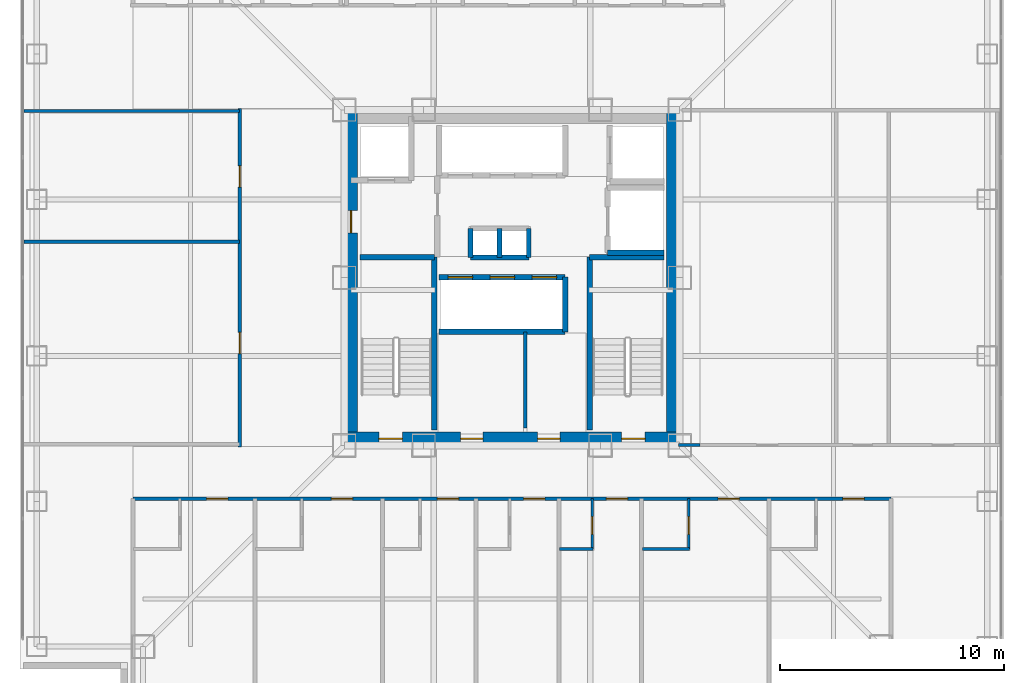
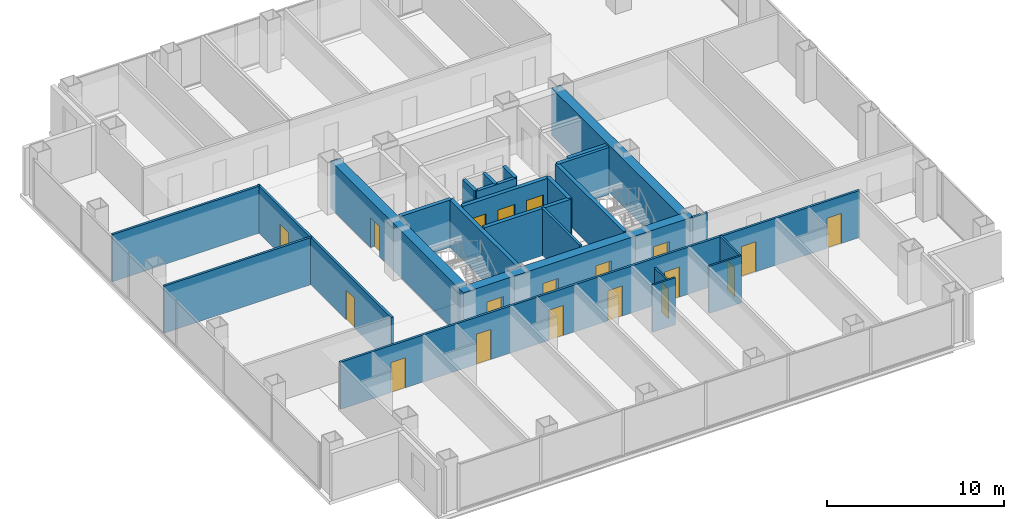
# One storey, part 13 of 18: 25 walls, 19 doors, 19 openings.
"""IFC4 building model written with IfcOpenShell, lengths in metres."""

from ifc_helpers import new_model, si_unit, direction, frame, frame_2d, origin, place, context, subcontext, project, spatial, rectangle, extrude, material, layer, layer_set, type_object, element, fill, save


model = new_model("IFC4")

# Units and contexts
model_context = context("Model", 3, precision=1e-05, world=origin(), true_north=direction((0.0, 1.0)))
body_context = subcontext(model_context, "Body", "Model", "MODEL_VIEW")
ifc_project = project(units=[si_unit("LENGTHUNIT", "METRE"), si_unit("AREAUNIT", "SQUARE_METRE"), si_unit("VOLUMEUNIT", "CUBIC_METRE"), si_unit("PLANEANGLEUNIT", "RADIAN"), si_unit("MASSUNIT", "GRAM", prefix="KILO")], contexts=[model_context])

# Site, building, storey
site_placement = place(None, origin())
site = spatial("IfcSite", under=ifc_project, at=site_placement, CompositionType="ELEMENT")
building_placement = place(site_placement, origin())
building = spatial("IfcBuilding", under=site, at=building_placement, Name="Trevonay Congress Spire", CompositionType="ELEMENT")
storey_placement = place(building_placement, frame((0.0, 0.0, 151.60009765625)))
storey = spatial("IfcBuildingStorey", under=building, at=storey_placement, Name="L39", CompositionType="ELEMENT", Elevation=151.60009765625)

# Wall, opening, door
ifc_material_1 = material(Name="Concrete C40/50", Category="concrete")
ifc_layer_1 = layer(ifc_material_1, 0.1201171875, Name="Concrete C40/50")
ifc_layer_set_1 = layer_set([ifc_layer_1], Name="Concrete C40/50")
wall_type_1 = type_object("IfcWallType", Name="WAL-BATH-120", PredefinedType="PLUMBINGWALL", material=ifc_layer_set_1)
wall_1_placement = place(storey_placement, frame((3.594970703125, -12.1298828125, 0.0), z_axis=(0.0, 0.0, 1.0), x_axis=(0.0, 1.0, 0.0)))
wall_1 = element("IfcWall", 1, at=wall_1_placement, inside=storey, type_object=wall_type_1, Name="L39 interior wall WH-L39S-BS5", PredefinedType="PLUMBINGWALL", context=body_context, shape_type="SweptSolid", body=[
    extrude(rectangle(XDim=2.25, YDim=0.1201171875, at=frame_2d((1.125, 0.0))), origin(), (0.0, 0.0, 1.0), 2.60791015625),
])
opening_1_placement = place(wall_1_placement, frame((0.64990234375, 0.0, 0.0)))
opening_1 = element("IfcOpeningElement", 2, at=opening_1_placement, cuts=wall_1, Name="Opening D11", PredefinedType="OPENING", context=body_context, shape_type="SweptSolid", body=[
    extrude(rectangle(XDim=0.800048828125, YDim=2.050048828125, at=frame_2d((0.39990234375, 1.02490234375))), frame((0.0, 0.070068359375, 0.0), z_axis=(0.0, -1.0, 0.0), x_axis=(1.0, 0.0, 0.0)), (0.0, 0.0, 1.0), 0.14013671875),
])
ifc_material_2 = material(Name="Pale Anodised Aluminium EN AW-6063-T6", Category="aluminium")
door_type_1 = type_object("IfcDoorType", Name="DOR-BATH-80", OperationType="NOTDEFINED", PredefinedType="DOOR", material=ifc_material_2)
door_1_placement = place(opening_1_placement, origin())
door_1 = element("IfcDoor", 3, at=door_1_placement, inside=storey, type_object=door_type_1, Name="L39 En-suite Bathroom Door", OperationType="SINGLE_SWING_LEFT", OverallHeight=2.050048828125, OverallWidth=0.800048828125, PredefinedType="DOOR", context=body_context, shape_type="SweptSolid", body=[
    extrude(rectangle(XDim=0.800048828125, YDim=2.050048828125, at=frame_2d((0.39990234375, 1.02490234375))), frame((0.0, 0.02490234375, 0.0), z_axis=(0.0, -1.0, 0.0), x_axis=(1.0, 0.0, 0.0)), (0.0, 0.0, 1.0), 0.050048828125),
])
fill(opening_1, door_1)

# Wall
wall_2_placement = place(storey_placement, frame((2.1298828125, -12.1298828125, 0.0), z_axis=(0.0, 0.0, 1.0), x_axis=(1.0, 0.0, 0.0)))
element("IfcWall", 4, at=wall_2_placement, inside=storey, type_object=wall_type_1, Name="L39 interior wall WH-L39S-BF5", PredefinedType="PLUMBINGWALL", context=body_context, shape_type="SweptSolid", body=[
    extrude(rectangle(XDim=1.4951171875, YDim=0.1201171875, at=frame_2d((0.74755859375, 0.0))), origin(), (0.0, 0.0, 1.0), 3.25),
])

# Wall, opening, door
wall_3_placement = place(storey_placement, frame((7.89990234375, -12.1298828125, 0.0), z_axis=(0.0, 0.0, 1.0), x_axis=(0.0, 1.0, 0.0)))
wall_3 = element("IfcWall", 5, at=wall_3_placement, inside=storey, type_object=wall_type_1, Name="L39 interior wall WH-L39S-BS6", PredefinedType="PLUMBINGWALL", context=body_context, shape_type="SweptSolid", body=[
    extrude(rectangle(XDim=2.25, YDim=0.1201171875, at=frame_2d((1.125, 0.0))), origin(), (0.0, 0.0, 1.0), 3.25),
])
opening_2_placement = place(wall_3_placement, frame((0.64990234375, 0.0, 0.0)))
opening_2 = element("IfcOpeningElement", 6, at=opening_2_placement, cuts=wall_3, Name="Opening D11", PredefinedType="OPENING", context=body_context, shape_type="SweptSolid", body=[
    extrude(rectangle(XDim=0.800048828125, YDim=2.050048828125, at=frame_2d((0.39990234375, 1.02490234375))), frame((0.0, 0.070068359375, 0.0), z_axis=(0.0, -1.0, 0.0), x_axis=(1.0, 0.0, 0.0)), (0.0, 0.0, 1.0), 0.14013671875),
])
door_2_placement = place(opening_2_placement, origin())
door_2 = element("IfcDoor", 7, at=door_2_placement, inside=storey, type_object=door_type_1, Name="L39 En-suite Bathroom Door", OperationType="SINGLE_SWING_RIGHT", OverallHeight=2.050048828125, OverallWidth=0.800048828125, PredefinedType="DOOR", context=body_context, shape_type="SweptSolid", body=[
    extrude(rectangle(XDim=0.800048828125, YDim=2.050048828125, at=frame_2d((0.39990234375, 1.02490234375))), frame((0.0, 0.02490234375, 0.0), z_axis=(0.0, -1.0, 0.0), x_axis=(1.0, 0.0, 0.0)), (0.0, 0.0, 1.0), 0.050048828125),
])
fill(opening_2, door_2)

# Wall
wall_4_placement = place(storey_placement, frame((5.830078125, -12.1298828125, 0.0), z_axis=(0.0, 0.0, 1.0), x_axis=(1.0, 0.0, 0.0)))
element("IfcWall", 8, at=wall_4_placement, inside=storey, type_object=wall_type_1, Name="L39 interior wall WH-L39S-BF6", PredefinedType="PLUMBINGWALL", context=body_context, shape_type="SweptSolid", body=[
    extrude(rectangle(XDim=2.099853515625, YDim=0.1201171875, at=frame_2d((1.0498046875, 0.0))), origin(), (0.0, 0.0, 1.0), 3.25),
])

# Wall, openings, doors
ifc_material_3 = material(Name="Concrete C60/75", Category="concrete")
ifc_layer_2 = layer(ifc_material_3, 0.60009765625, Name="Concrete C60/75")
ifc_layer_set_2 = layer_set([ifc_layer_2], Name="Concrete C60/75")
wall_type_2 = type_object("IfcWallType", Name="WAL-CORE-600", PredefinedType="SHEAR", material=ifc_layer_set_2)
wall_5_placement = place(storey_placement, frame((-7.5, -7.199951171875, 0.0), z_axis=(0.0, 0.0, 1.0), x_axis=(1.0, 0.0, 0.0)))
wall_5 = element("IfcWall", 9, at=wall_5_placement, inside=storey, type_object=wall_type_2, Name="L39 South structural core shear wall", PredefinedType="SHEAR", context=body_context, shape_type="SweptSolid", body=[
    extrude(rectangle(XDim=15.0, YDim=0.60009765625, at=frame_2d((7.5, 0.0))), origin(), (0.0, 0.0, 1.0), 3.25),
])
opening_3_placement = place(wall_5_placement, frame((1.550048828125, 0.0, 0.0)))
opening_3 = element("IfcOpeningElement", 10, at=opening_3_placement, cuts=wall_5, Name="Opening D05", PredefinedType="OPENING", context=body_context, shape_type="SweptSolid", body=[
    extrude(rectangle(XDim=1.050048828125, YDim=2.080078125, at=frame_2d((0.52490234375, 1.0400390625))), frame((0.0, 0.31005859375, 0.0), z_axis=(0.0, -1.0, 0.0), x_axis=(1.0, 0.0, 0.0)), (0.0, 0.0, 1.0), 0.6201171875),
])
opening_4_placement = place(wall_5_placement, frame((12.39990234375, 0.0, 0.0)))
opening_4 = element("IfcOpeningElement", 11, at=opening_4_placement, cuts=wall_5, Name="Opening D05", PredefinedType="OPENING", context=body_context, shape_type="SweptSolid", body=[
    extrude(rectangle(XDim=1.050048828125, YDim=2.080078125, at=frame_2d((0.52490234375, 1.0400390625))), frame((0.0, 0.31005859375, 0.0), z_axis=(0.0, -1.0, 0.0), x_axis=(1.0, 0.0, 0.0)), (0.0, 0.0, 1.0), 0.6201171875),
])
opening_5_placement = place(wall_5_placement, frame((5.199951171875, 0.0, 0.0)))
opening_5 = element("IfcOpeningElement", 12, at=opening_5_placement, cuts=wall_5, Name="Opening D06", PredefinedType="OPENING", context=body_context, shape_type="SweptSolid", body=[
    extrude(rectangle(XDim=1.0, YDim=2.080078125, at=frame_2d((0.5, 1.0400390625))), frame((0.0, 0.31005859375, 0.0), z_axis=(0.0, -1.0, 0.0), x_axis=(1.0, 0.0, 0.0)), (0.0, 0.0, 1.0), 0.6201171875),
])
opening_6_placement = place(wall_5_placement, frame((8.64990234375, 0.0, 0.0)))
opening_6 = element("IfcOpeningElement", 13, at=opening_6_placement, cuts=wall_5, Name="Opening D06", PredefinedType="OPENING", context=body_context, shape_type="SweptSolid", body=[
    extrude(rectangle(XDim=1.0, YDim=2.080078125, at=frame_2d((0.5, 1.0400390625))), frame((0.0, 0.31005859375, 0.0), z_axis=(0.0, -1.0, 0.0), x_axis=(1.0, 0.0, 0.0)), (0.0, 0.0, 1.0), 0.6201171875),
])
ifc_material_4 = material(Name="Steel ASTM A572 Grade 50", Category="steel")
door_type_2 = type_object("IfcDoorType", Name="DOR-FIRE-100", OperationType="NOTDEFINED", PredefinedType="DOOR", material=ifc_material_4)
door_3_placement = place(opening_5_placement, origin())
door_3 = element("IfcDoor", 14, at=door_3_placement, inside=storey, type_object=door_type_2, Name="L39 South Core Room 1 Door", OperationType="SINGLE_SWING_RIGHT", OverallHeight=2.080078125, OverallWidth=1.0, PredefinedType="DOOR", context=body_context, shape_type="SweptSolid", body=[
    extrude(rectangle(XDim=1.0, YDim=2.080078125, at=frame_2d((0.5, 1.0400390625))), frame((0.0, 0.02490234375, 0.0), z_axis=(0.0, -1.0, 0.0), x_axis=(1.0, 0.0, 0.0)), (0.0, 0.0, 1.0), 0.050048828125),
])
fill(opening_5, door_3)
door_4_placement = place(opening_6_placement, origin())
door_4 = element("IfcDoor", 15, at=door_4_placement, inside=storey, type_object=door_type_2, Name="L39 South Core Room 2 Door", OperationType="SINGLE_SWING_LEFT", OverallHeight=2.080078125, OverallWidth=1.0, PredefinedType="DOOR", context=body_context, shape_type="SweptSolid", body=[
    extrude(rectangle(XDim=1.0, YDim=2.080078125, at=frame_2d((0.5, 1.0400390625))), frame((0.0, 0.02490234375, 0.0), z_axis=(0.0, -1.0, 0.0), x_axis=(1.0, 0.0, 0.0)), (0.0, 0.0, 1.0), 0.050048828125),
])
fill(opening_6, door_4)
door_type_3 = type_object("IfcDoorType", Name="DOR-STAIR-110", OperationType="NOTDEFINED", PredefinedType="DOOR", material=ifc_material_4)
door_5_placement = place(opening_3_placement, origin())
door_5 = element("IfcDoor", 16, at=door_5_placement, inside=storey, type_object=door_type_3, Name="L39 Protected Stair ST-1 Door", OperationType="SINGLE_SWING_LEFT", OverallHeight=2.080078125, OverallWidth=1.050048828125, PredefinedType="DOOR", context=body_context, shape_type="SweptSolid", body=[
    extrude(rectangle(XDim=1.050048828125, YDim=2.080078125, at=frame_2d((0.52490234375, 1.0400390625))), frame((0.0, 0.02490234375, 0.0), z_axis=(0.0, -1.0, 0.0), x_axis=(1.0, 0.0, 0.0)), (0.0, 0.0, 1.0), 0.050048828125),
])
fill(opening_3, door_5)
door_6_placement = place(opening_4_placement, origin())
door_6 = element("IfcDoor", 17, at=door_6_placement, inside=storey, type_object=door_type_3, Name="L39 Protected Stair ST-2 Door", OperationType="SINGLE_SWING_RIGHT", OverallHeight=2.080078125, OverallWidth=1.050048828125, PredefinedType="DOOR", context=body_context, shape_type="SweptSolid", body=[
    extrude(rectangle(XDim=1.050048828125, YDim=2.080078125, at=frame_2d((0.52490234375, 1.0400390625))), frame((0.0, 0.02490234375, 0.0), z_axis=(0.0, -1.0, 0.0), x_axis=(1.0, 0.0, 0.0)), (0.0, 0.0, 1.0), 0.050048828125),
])
fill(opening_4, door_6)

# Wall, opening, door
wall_6_placement = place(storey_placement, frame((-7.199951171875, -7.5, 0.0), z_axis=(0.0, 0.0, 1.0), x_axis=(0.0, 1.0, 0.0)))
wall_6 = element("IfcWall", 18, at=wall_6_placement, inside=storey, type_object=wall_type_2, Name="L39 West structural core shear wall", PredefinedType="SHEAR", context=body_context, shape_type="SweptSolid", body=[
    extrude(rectangle(XDim=15.0, YDim=0.60009765625, at=frame_2d((7.5, 0.0))), origin(), (0.0, 0.0, 1.0), 3.25),
])
opening_7_placement = place(wall_6_placement, frame((9.5, 0.0, 0.0)))
opening_7 = element("IfcOpeningElement", 19, at=opening_7_placement, cuts=wall_6, Name="Opening D06", PredefinedType="OPENING", context=body_context, shape_type="SweptSolid", body=[
    extrude(rectangle(XDim=1.0, YDim=2.080078125, at=frame_2d((0.5, 1.0400390625))), frame((0.0, 0.31005859375, 0.0), z_axis=(0.0, -1.0, 0.0), x_axis=(1.0, 0.0, 0.0)), (0.0, 0.0, 1.0), 0.6201171875),
])
door_7_placement = place(opening_7_placement, origin())
door_7 = element("IfcDoor", 20, at=door_7_placement, inside=storey, type_object=door_type_2, Name="L39 Firefighting Lift Lobby West Corridor Door", OperationType="SINGLE_SWING_LEFT", OverallHeight=2.080078125, OverallWidth=1.0, PredefinedType="DOOR", context=body_context, shape_type="SweptSolid", body=[
    extrude(rectangle(XDim=1.0, YDim=2.080078125, at=frame_2d((0.5, 1.0400390625))), frame((0.0, 0.02490234375, 0.0), z_axis=(0.0, -1.0, 0.0), x_axis=(1.0, 0.0, 0.0)), (0.0, 0.0, 1.0), 0.050048828125),
])
fill(opening_7, door_7)

# Wall
wall_7_placement = place(storey_placement, frame((7.199951171875, -7.5, 0.0), z_axis=(0.0, 0.0, 1.0), x_axis=(0.0, 1.0, 0.0)))
element("IfcWall", 21, at=wall_7_placement, inside=storey, type_object=wall_type_2, Name="L39 East structural core shear wall", PredefinedType="SHEAR", context=body_context, shape_type="SweptSolid", body=[
    extrude(rectangle(XDim=15.0, YDim=0.60009765625, at=frame_2d((7.5, 0.0))), origin(), (0.0, 0.0, 1.0), 3.25),
])

# Wall, openings, doors
ifc_layer_3 = layer(ifc_material_1, 0.14990234375, Name="Concrete C40/50")
ifc_layer_set_3 = layer_set([ifc_layer_3], Name="Concrete C40/50")
wall_type_3 = type_object("IfcWallType", Name="WAL-CORR-150", PredefinedType="PARTITIONING", material=ifc_layer_set_3)
wall_8_placement = place(storey_placement, frame((-16.949951171875, -9.8798828125, 0.0), z_axis=(0.0, 0.0, 1.0), x_axis=(1.0, 0.0, 0.0)))
wall_8 = element("IfcWall", 22, at=wall_8_placement, inside=storey, type_object=wall_type_3, Name="L39 interior wall WH-L39S-COR", PredefinedType="PARTITIONING", context=body_context, shape_type="SweptSolid", body=[
    extrude(rectangle(XDim=33.89990234375, YDim=0.14990234375, at=frame_2d((16.949951171875, 0.0))), origin(), (0.0, 0.0, 1.0), 3.25),
])
opening_8_placement = place(wall_8_placement, frame((3.294921875, 0.0, 0.0)))
opening_8 = element("IfcOpeningElement", 23, at=opening_8_placement, cuts=wall_8, Name="Opening D08", PredefinedType="OPENING", context=body_context, shape_type="SweptSolid", body=[
    extrude(rectangle(XDim=0.949951171875, YDim=2.080078125, at=frame_2d((0.47509765625, 1.0400390625))), frame((0.0, 0.0849609375, 0.0), z_axis=(0.0, -1.0, 0.0), x_axis=(1.0, 0.0, 0.0)), (0.0, 0.0, 1.0), 0.169921875),
])
opening_9_placement = place(wall_8_placement, frame((8.8701171875, 0.0, 0.0)))
opening_9 = element("IfcOpeningElement", 24, at=opening_9_placement, cuts=wall_8, Name="Opening D08", PredefinedType="OPENING", context=body_context, shape_type="SweptSolid", body=[
    extrude(rectangle(XDim=0.949951171875, YDim=2.080078125, at=frame_2d((0.47509765625, 1.0400390625))), frame((0.0, 0.0849609375, 0.0), z_axis=(0.0, -1.0, 0.0), x_axis=(1.0, 0.0, 0.0)), (0.0, 0.0, 1.0), 0.169921875),
])
opening_10_placement = place(wall_8_placement, frame((13.612548828125, 0.0, 0.0)))
opening_10 = element("IfcOpeningElement", 25, at=opening_10_placement, cuts=wall_8, Name="Opening D08", PredefinedType="OPENING", context=body_context, shape_type="SweptSolid", body=[
    extrude(rectangle(XDim=0.949951171875, YDim=2.080078125, at=frame_2d((0.47509765625, 1.0400390625))), frame((0.0, 0.0849609375, 0.0), z_axis=(0.0, -1.0, 0.0), x_axis=(1.0, 0.0, 0.0)), (0.0, 0.0, 1.0), 0.169921875),
])
opening_11_placement = place(wall_8_placement, frame((17.467529296875, 0.0, 0.0)))
opening_11 = element("IfcOpeningElement", 26, at=opening_11_placement, cuts=wall_8, Name="Opening D08", PredefinedType="OPENING", context=body_context, shape_type="SweptSolid", body=[
    extrude(rectangle(XDim=0.949951171875, YDim=2.080078125, at=frame_2d((0.47509765625, 1.0400390625))), frame((0.0, 0.0849609375, 0.0), z_axis=(0.0, -1.0, 0.0), x_axis=(1.0, 0.0, 0.0)), (0.0, 0.0, 1.0), 0.169921875),
])
opening_12_placement = place(wall_8_placement, frame((21.16748046875, 0.0, 0.0)))
opening_12 = element("IfcOpeningElement", 27, at=opening_12_placement, cuts=wall_8, Name="Opening D08", PredefinedType="OPENING", context=body_context, shape_type="SweptSolid", body=[
    extrude(rectangle(XDim=0.949951171875, YDim=2.080078125, at=frame_2d((0.47509765625, 1.0400390625))), frame((0.0, 0.0849609375, 0.0), z_axis=(0.0, -1.0, 0.0), x_axis=(1.0, 0.0, 0.0)), (0.0, 0.0, 1.0), 0.169921875),
])
opening_13_placement = place(wall_8_placement, frame((26.169921875, 0.0, 0.0)))
opening_13 = element("IfcOpeningElement", 28, at=opening_13_placement, cuts=wall_8, Name="Opening D08", PredefinedType="OPENING", context=body_context, shape_type="SweptSolid", body=[
    extrude(rectangle(XDim=0.949951171875, YDim=2.080078125, at=frame_2d((0.47509765625, 1.0400390625))), frame((0.0, 0.0849609375, 0.0), z_axis=(0.0, -1.0, 0.0), x_axis=(1.0, 0.0, 0.0)), (0.0, 0.0, 1.0), 0.169921875),
])
opening_14_placement = place(wall_8_placement, frame((31.7451171875, 0.0, 0.0)))
opening_14 = element("IfcOpeningElement", 29, at=opening_14_placement, cuts=wall_8, Name="Opening D08", PredefinedType="OPENING", context=body_context, shape_type="SweptSolid", body=[
    extrude(rectangle(XDim=0.949951171875, YDim=2.080078125, at=frame_2d((0.47509765625, 1.0400390625))), frame((0.0, 0.0849609375, 0.0), z_axis=(0.0, -1.0, 0.0), x_axis=(1.0, 0.0, 0.0)), (0.0, 0.0, 1.0), 0.169921875),
])
door_type_4 = type_object("IfcDoorType", Name="DOR-SUITE-95", OperationType="NOTDEFINED", PredefinedType="DOOR", material=ifc_material_2)
door_8_placement = place(opening_8_placement, origin())
door_8 = element("IfcDoor", 30, at=door_8_placement, inside=storey, type_object=door_type_4, Name="L39 Corner Hotel Suite Entrance Door", OperationType="SINGLE_SWING_RIGHT", OverallHeight=2.080078125, OverallWidth=0.949951171875, PredefinedType="DOOR", context=body_context, shape_type="SweptSolid", body=[
    extrude(rectangle(XDim=0.949951171875, YDim=2.080078125, at=frame_2d((0.47509765625, 1.0400390625))), frame((0.0, 0.02490234375, 0.0), z_axis=(0.0, -1.0, 0.0), x_axis=(1.0, 0.0, 0.0)), (0.0, 0.0, 1.0), 0.050048828125),
])
fill(opening_8, door_8)
door_9_placement = place(opening_9_placement, origin())
door_9 = element("IfcDoor", 31, at=door_9_placement, inside=storey, type_object=door_type_4, Name="L39 Hotel Guest Room Entrance Door", OperationType="SINGLE_SWING_LEFT", OverallHeight=2.080078125, OverallWidth=0.949951171875, PredefinedType="DOOR", context=body_context, shape_type="SweptSolid", body=[
    extrude(rectangle(XDim=0.949951171875, YDim=2.080078125, at=frame_2d((0.47509765625, 1.0400390625))), frame((0.0, 0.02490234375, 0.0), z_axis=(0.0, -1.0, 0.0), x_axis=(1.0, 0.0, 0.0)), (0.0, 0.0, 1.0), 0.050048828125),
])
fill(opening_9, door_9)
door_10_placement = place(opening_10_placement, origin())
door_10 = element("IfcDoor", 32, at=door_10_placement, inside=storey, type_object=door_type_4, Name="L39 Hotel Guest Room Entrance Door", OperationType="SINGLE_SWING_RIGHT", OverallHeight=2.080078125, OverallWidth=0.949951171875, PredefinedType="DOOR", context=body_context, shape_type="SweptSolid", body=[
    extrude(rectangle(XDim=0.949951171875, YDim=2.080078125, at=frame_2d((0.47509765625, 1.0400390625))), frame((0.0, 0.02490234375, 0.0), z_axis=(0.0, -1.0, 0.0), x_axis=(1.0, 0.0, 0.0)), (0.0, 0.0, 1.0), 0.050048828125),
])
fill(opening_10, door_10)
door_11_placement = place(opening_11_placement, origin())
door_11 = element("IfcDoor", 33, at=door_11_placement, inside=storey, type_object=door_type_4, Name="L39 Hotel Guest Room Entrance Door", OperationType="SINGLE_SWING_LEFT", OverallHeight=2.080078125, OverallWidth=0.949951171875, PredefinedType="DOOR", context=body_context, shape_type="SweptSolid", body=[
    extrude(rectangle(XDim=0.949951171875, YDim=2.080078125, at=frame_2d((0.47509765625, 1.0400390625))), frame((0.0, 0.02490234375, 0.0), z_axis=(0.0, -1.0, 0.0), x_axis=(1.0, 0.0, 0.0)), (0.0, 0.0, 1.0), 0.050048828125),
])
fill(opening_11, door_11)
door_12_placement = place(opening_12_placement, origin())
door_12 = element("IfcDoor", 34, at=door_12_placement, inside=storey, type_object=door_type_4, Name="L39 Hotel Guest Room Entrance Door", OperationType="SINGLE_SWING_RIGHT", OverallHeight=2.080078125, OverallWidth=0.949951171875, PredefinedType="DOOR", context=body_context, shape_type="SweptSolid", body=[
    extrude(rectangle(XDim=0.949951171875, YDim=2.080078125, at=frame_2d((0.47509765625, 1.0400390625))), frame((0.0, 0.02490234375, 0.0), z_axis=(0.0, -1.0, 0.0), x_axis=(1.0, 0.0, 0.0)), (0.0, 0.0, 1.0), 0.050048828125),
])
fill(opening_12, door_12)
door_13_placement = place(opening_13_placement, origin())
door_13 = element("IfcDoor", 35, at=door_13_placement, inside=storey, type_object=door_type_4, Name="L39 Corner Hotel Suite Entrance Door", OperationType="SINGLE_SWING_LEFT", OverallHeight=2.080078125, OverallWidth=0.949951171875, PredefinedType="DOOR", context=body_context, shape_type="SweptSolid", body=[
    extrude(rectangle(XDim=0.949951171875, YDim=2.080078125, at=frame_2d((0.47509765625, 1.0400390625))), frame((0.0, 0.02490234375, 0.0), z_axis=(0.0, -1.0, 0.0), x_axis=(1.0, 0.0, 0.0)), (0.0, 0.0, 1.0), 0.050048828125),
])
fill(opening_13, door_13)
door_14_placement = place(opening_14_placement, origin())
door_14 = element("IfcDoor", 36, at=door_14_placement, inside=storey, type_object=door_type_4, Name="L39 Hotel Guest Room Entrance Door", OperationType="SINGLE_SWING_RIGHT", OverallHeight=2.080078125, OverallWidth=0.949951171875, PredefinedType="DOOR", context=body_context, shape_type="SweptSolid", body=[
    extrude(rectangle(XDim=0.949951171875, YDim=2.080078125, at=frame_2d((0.47509765625, 1.0400390625))), frame((0.0, 0.02490234375, 0.0), z_axis=(0.0, -1.0, 0.0), x_axis=(1.0, 0.0, 0.0)), (0.0, 0.0, 1.0), 0.050048828125),
])
fill(opening_14, door_14)

wall_9_placement = place(storey_placement, frame((-12.179931640625, -7.570068359375, 0.0), z_axis=(0.0, 0.0, 1.0), x_axis=(0.0, 1.0, 0.0)))
wall_9 = element("IfcWall", 37, at=wall_9_placement, inside=storey, type_object=wall_type_3, Name="L39 interior wall WP-L39W-COR", PredefinedType="PARTITIONING", context=body_context, shape_type="SweptSolid", body=[
    extrude(rectangle(XDim=15.14013671875, YDim=0.14990234375, at=frame_2d((7.570068359375, 0.0))), origin(), (0.0, 0.0, 1.0), 3.25),
])
opening_15_placement = place(wall_9_placement, frame((4.169921875, 0.0, 0.0)))
opening_15 = element("IfcOpeningElement", 38, at=opening_15_placement, cuts=wall_9, Name="Opening D07", PredefinedType="OPENING", context=body_context, shape_type="SweptSolid", body=[
    extrude(rectangle(XDim=0.949951171875, YDim=2.06005859375, at=frame_2d((0.47509765625, 1.030029296875))), frame((0.0, 0.0849609375, 0.0), z_axis=(0.0, -1.0, 0.0), x_axis=(1.0, 0.0, 0.0)), (0.0, 0.0, 1.0), 0.169921875),
])
opening_16_placement = place(wall_9_placement, frame((11.6201171875, 0.0, 0.0)))
opening_16 = element("IfcOpeningElement", 39, at=opening_16_placement, cuts=wall_9, Name="Opening D07", PredefinedType="OPENING", context=body_context, shape_type="SweptSolid", body=[
    extrude(rectangle(XDim=0.949951171875, YDim=2.06005859375, at=frame_2d((0.47509765625, 1.030029296875))), frame((0.0, 0.0849609375, 0.0), z_axis=(0.0, -1.0, 0.0), x_axis=(1.0, 0.0, 0.0)), (0.0, 0.0, 1.0), 0.169921875),
])
door_type_5 = type_object("IfcDoorType", Name="DOR-OFFICE-95", OperationType="NOTDEFINED", PredefinedType="DOOR", material=ifc_material_2)
door_15_placement = place(opening_15_placement, origin())
door_15 = element("IfcDoor", 40, at=door_15_placement, inside=storey, type_object=door_type_5, Name="L39 Chief Negotiator Office Door", OperationType="SINGLE_SWING_LEFT", OverallHeight=2.06005859375, OverallWidth=0.949951171875, PredefinedType="DOOR", context=body_context, shape_type="SweptSolid", body=[
    extrude(rectangle(XDim=0.949951171875, YDim=2.06005859375, at=frame_2d((0.47509765625, 1.030029296875))), frame((0.0, 0.02490234375, 0.0), z_axis=(0.0, -1.0, 0.0), x_axis=(1.0, 0.0, 0.0)), (0.0, 0.0, 1.0), 0.050048828125),
])
fill(opening_15, door_15)
door_16_placement = place(opening_16_placement, origin())
door_16 = element("IfcDoor", 41, at=door_16_placement, inside=storey, type_object=door_type_5, Name="L39 Diplomatic Cipher Office Door", OperationType="SINGLE_SWING_RIGHT", OverallHeight=2.06005859375, OverallWidth=0.949951171875, PredefinedType="DOOR", context=body_context, shape_type="SweptSolid", body=[
    extrude(rectangle(XDim=0.949951171875, YDim=2.06005859375, at=frame_2d((0.47509765625, 1.030029296875))), frame((0.0, 0.02490234375, 0.0), z_axis=(0.0, -1.0, 0.0), x_axis=(1.0, 0.0, 0.0)), (0.0, 0.0, 1.0), 0.050048828125),
])
fill(opening_16, door_16)

# Walls
wall_10_placement = place(storey_placement, frame((7.449951171875, -7.47998046875, 0.0), z_axis=(0.0, 0.0, 1.0), x_axis=(1.0, 0.0, 0.0)))
element("IfcWall", 42, at=wall_10_placement, inside=storey, type_object=wall_type_3, Name="L39 interior wall WP-L39E-STUB", PredefinedType="PARTITIONING", context=body_context, shape_type="SweptSolid", body=[
    extrude(rectangle(XDim=0.949951171875, YDim=0.14990234375, at=frame_2d((0.47509765625, 0.0))), origin(), (0.0, 0.0, 1.0), 3.25),
])
ifc_layer_4 = layer(ifc_material_1, 0.14990234375, Name="Concrete C40/50")
ifc_layer_set_4 = layer_set([ifc_layer_4], Name="Concrete C40/50")
wall_type_4 = type_object("IfcWallType", Name="WAL-PART-150", PredefinedType="PARTITIONING", material=ifc_layer_set_4)
wall_11_placement = place(storey_placement, frame((0.60009765625, -6.719970703125, 0.0), z_axis=(0.0, 0.0, 1.0), x_axis=(0.0, 1.0, 0.0)))
element("IfcWall", 43, at=wall_11_placement, inside=storey, type_object=wall_type_4, Name="L39 interior wall CW-F1V-L39", PredefinedType="PARTITIONING", context=body_context, shape_type="SweptSolid", body=[
    extrude(rectangle(XDim=4.2900390625, YDim=0.14990234375, at=frame_2d((2.14501953125, 0.0))), origin(), (0.0, 0.0, 1.0), 3.25),
])
for number, where, z_axis, x_axis, name in (
    (44, (-21.820068359375, 1.60009765625, 0.0), (0.0, 0.0, 1.0), (1.0, 0.0, 0.0), "L39 interior wall WP-L39W-DIV2"),
    (45, (-21.820068359375, 7.449951171875, 0.0), (0.0, 0.0, 1.0), (1.0, 0.0, 0.0), "L39 interior wall WP-L39W-DIV3"),
):
    element("IfcWall", number, at=place(storey_placement, frame(where, z_axis=z_axis, x_axis=x_axis)), inside=storey, type_object=wall_type_4, Name=name, PredefinedType="PARTITIONING", context=body_context, shape_type="SweptSolid", body=[
        extrude(rectangle(XDim=9.64013671875, YDim=0.14990234375, at=frame_2d((4.820068359375, 0.0))), origin(), (0.0, 0.0, 1.0), 3.25),
    ])
ifc_layer_5 = layer(ifc_material_1, 0.219970703125, Name="Concrete C40/50")
ifc_layer_set_5 = layer_set([ifc_layer_5], Name="Concrete C40/50")
wall_type_5 = type_object("IfcWallType", Name="WAL-SHAFT-220", PredefinedType="PARTITIONING", material=ifc_layer_set_5)
wall_12_placement = place(storey_placement, frame((-1.85009765625, 0.89990234375, 0.0), z_axis=(0.0, 0.0, 1.0), x_axis=(1.0, 0.0, 0.0)))
element("IfcWall", 46, at=wall_12_placement, inside=storey, type_object=wall_type_5, Name="L39 interior shaft wall WSH-L39-RSR-S", PredefinedType="PARTITIONING", context=body_context, shape_type="SweptSolid", body=[
    extrude(rectangle(XDim=2.60009765625, YDim=0.219970703125, at=frame_2d((1.300048828125, 0.0))), origin(), (0.0, 0.0, 1.0), 3.25),
])
for number, where, z_axis, x_axis, name in (
    (47, (-0.550048828125, 0.89990234375, 0.0), (0.0, 0.0, 1.0), (0.0, 1.0, 0.0), "L39 interior shaft wall WSH-L39-RSR-M"),
    (48, (0.75, 0.89990234375, 0.0), (0.0, 0.0, 1.0), (0.0, 1.0, 0.0), "L39 interior shaft wall WSH-L39-RSR-E"),
    (49, (-1.85009765625, 0.89990234375, 0.0), (0.0, 0.0, 1.0), (0.0, 1.0, 0.0), "L39 interior shaft wall WSH-L39-RSR-W"),
):
    element("IfcWall", number, at=place(storey_placement, frame(where, z_axis=z_axis, x_axis=x_axis)), inside=storey, type_object=wall_type_5, Name=name, PredefinedType="PARTITIONING", context=body_context, shape_type="SweptSolid", body=[
        extrude(rectangle(XDim=1.300048828125, YDim=0.219970703125, at=frame_2d((0.64990234375, 0.0))), origin(), (0.0, 0.0, 1.0), 3.25),
    ])

# Wall, openings, doors
ifc_layer_6 = layer(ifc_material_1, 0.25, Name="Concrete C40/50")
ifc_layer_set_6 = layer_set([ifc_layer_6], Name="Concrete C40/50")
wall_type_6 = type_object("IfcWallType", Name="WAL-SHAFT-250", PredefinedType="SHEAR", material=ifc_layer_set_6)
wall_13_placement = place(storey_placement, frame((-3.260009765625, 0.02001953125, 0.0), z_axis=(0.0, 0.0, 1.0), x_axis=(1.0, 0.0, 0.0)))
wall_13 = element("IfcWall", 50, at=wall_13_placement, inside=storey, type_object=wall_type_6, Name="L39 interior shaft wall WSH-L39-B2-N", PredefinedType="SHEAR", context=body_context, shape_type="SweptSolid", body=[
    extrude(rectangle(XDim=5.639892578125, YDim=0.25, at=frame_2d((2.81982421875, 0.0))), origin(), (0.0, 0.0, 1.0), 3.25),
])
opening_17_placement = place(wall_13_placement, frame((0.39990234375, 0.0, 0.0)))
opening_17 = element("IfcOpeningElement", 51, at=opening_17_placement, cuts=wall_13, Name="Opening LD02", PredefinedType="OPENING", context=body_context, shape_type="SweptSolid", body=[
    extrude(rectangle(XDim=1.10009765625, YDim=2.199951171875, at=frame_2d((0.550048828125, 1.10009765625))), frame((0.0, 0.135009765625, 0.0), z_axis=(0.0, -1.0, 0.0), x_axis=(1.0, 0.0, 0.0)), (0.0, 0.0, 1.0), 0.27001953125),
])
opening_18_placement = place(wall_13_placement, frame((2.280029296875, 0.0, 0.0)))
opening_18 = element("IfcOpeningElement", 52, at=opening_18_placement, cuts=wall_13, Name="Opening LD02", PredefinedType="OPENING", context=body_context, shape_type="SweptSolid", body=[
    extrude(rectangle(XDim=1.10009765625, YDim=2.199951171875, at=frame_2d((0.550048828125, 1.10009765625))), frame((0.0, 0.135009765625, 0.0), z_axis=(0.0, -1.0, 0.0), x_axis=(1.0, 0.0, 0.0)), (0.0, 0.0, 1.0), 0.27001953125),
])
opening_19_placement = place(wall_13_placement, frame((4.159912109375, 0.0, 0.0)))
opening_19 = element("IfcOpeningElement", 53, at=opening_19_placement, cuts=wall_13, Name="Opening LD02", PredefinedType="OPENING", context=body_context, shape_type="SweptSolid", body=[
    extrude(rectangle(XDim=1.10009765625, YDim=2.199951171875, at=frame_2d((0.550048828125, 1.10009765625))), frame((0.0, 0.135009765625, 0.0), z_axis=(0.0, -1.0, 0.0), x_axis=(1.0, 0.0, 0.0)), (0.0, 0.0, 1.0), 0.27001953125),
])
door_type_6 = type_object("IfcDoorType", Name="DOR-LIFT-LD02", OperationType="DOUBLE_DOOR_SLIDING", PredefinedType="DOOR", material=ifc_material_2)
door_17_placement = place(opening_17_placement, origin())
door_17 = element("IfcDoor", 54, at=door_17_placement, inside=storey, type_object=door_type_6, Name="L39 Passenger lift PL-04 landing door", OperationType="DOUBLE_DOOR_SLIDING", OverallHeight=2.199951171875, OverallWidth=1.10009765625, PredefinedType="DOOR", context=body_context, shape_type="SweptSolid", body=[
    extrude(rectangle(XDim=1.10009765625, YDim=2.199951171875, at=frame_2d((0.550048828125, 1.10009765625))), frame((0.0, 0.02490234375, 0.0), z_axis=(0.0, -1.0, 0.0), x_axis=(1.0, 0.0, 0.0)), (0.0, 0.0, 1.0), 0.050048828125),
])
fill(opening_17, door_17)
door_18_placement = place(opening_18_placement, origin())
door_18 = element("IfcDoor", 55, at=door_18_placement, inside=storey, type_object=door_type_6, Name="L39 Passenger lift PL-05 landing door", OperationType="DOUBLE_DOOR_SLIDING", OverallHeight=2.199951171875, OverallWidth=1.10009765625, PredefinedType="DOOR", context=body_context, shape_type="SweptSolid", body=[
    extrude(rectangle(XDim=1.10009765625, YDim=2.199951171875, at=frame_2d((0.550048828125, 1.10009765625))), frame((0.0, 0.02490234375, 0.0), z_axis=(0.0, -1.0, 0.0), x_axis=(1.0, 0.0, 0.0)), (0.0, 0.0, 1.0), 0.050048828125),
])
fill(opening_18, door_18)
door_19_placement = place(opening_19_placement, origin())
door_19 = element("IfcDoor", 56, at=door_19_placement, inside=storey, type_object=door_type_6, Name="L39 Passenger lift PL-06 landing door", OperationType="DOUBLE_DOOR_SLIDING", OverallHeight=2.199951171875, OverallWidth=1.10009765625, PredefinedType="DOOR", context=body_context, shape_type="SweptSolid", body=[
    extrude(rectangle(XDim=1.10009765625, YDim=2.199951171875, at=frame_2d((0.550048828125, 1.10009765625))), frame((0.0, 0.02490234375, 0.0), z_axis=(0.0, -1.0, 0.0), x_axis=(1.0, 0.0, 0.0)), (0.0, 0.0, 1.0), 0.050048828125),
])
fill(opening_19, door_19)

# Walls
wall_14_placement = place(storey_placement, frame((-3.260009765625, -2.419921875, 0.0), z_axis=(0.0, 0.0, 1.0), x_axis=(1.0, 0.0, 0.0)))
element("IfcWall", 57, at=wall_14_placement, inside=storey, type_object=wall_type_6, Name="L39 interior shaft wall WSH-L39-B2-S", PredefinedType="SHEAR", context=body_context, shape_type="SweptSolid", body=[
    extrude(rectangle(XDim=5.639892578125, YDim=0.25, at=frame_2d((2.81982421875, 0.0))), origin(), (0.0, 0.0, 1.0), 3.25),
])
wall_15_placement = place(storey_placement, frame((2.3798828125, -2.419921875, 0.0), z_axis=(0.0, 0.0, 1.0), x_axis=(0.0, 1.0, 0.0)))
element("IfcWall", 58, at=wall_15_placement, inside=storey, type_object=wall_type_6, Name="L39 interior shaft wall WSH-L39-B2-E", PredefinedType="SHEAR", context=body_context, shape_type="SweptSolid", body=[
    extrude(rectangle(XDim=2.43994140625, YDim=0.25, at=frame_2d((1.219970703125, 0.0))), origin(), (0.0, 0.0, 1.0), 3.25),
])
wall_16_placement = place(storey_placement, frame((4.280029296875, 1.1201171875, 0.0), z_axis=(0.0, 0.0, 1.0), x_axis=(1.0, 0.0, 0.0)))
element("IfcWall", 59, at=wall_16_placement, inside=storey, type_object=wall_type_6, Name="L39 interior shaft wall WSH-L39-SV-S", PredefinedType="SHEAR", context=body_context, shape_type="SweptSolid", body=[
    extrude(rectangle(XDim=2.52001953125, YDim=0.25, at=frame_2d((1.260009765625, 0.0))), origin(), (0.0, 0.0, 1.0), 3.25),
])
ifc_layer_7 = layer(ifc_material_1, 0.25, Name="Concrete C40/50")
ifc_layer_set_7 = layer_set([ifc_layer_7], Name="Concrete C40/50")
wall_type_7 = type_object("IfcWallType", Name="WAL-SHAFT-LB-250", PredefinedType="SHEAR", material=ifc_layer_set_7)
wall_17_placement = place(storey_placement, frame((-3.469970703125, -6.800048828125, 0.0), z_axis=(0.0, 0.0, 1.0), x_axis=(0.0, 1.0, 0.0)))
element("IfcWall", 60, at=wall_17_placement, inside=storey, type_object=wall_type_7, Name="L39 interior shaft wall WSH-L39-ST1-E", PredefinedType="SHEAR", context=body_context, shape_type="SweptSolid", body=[
    extrude(rectangle(XDim=7.719970703125, YDim=0.25, at=frame_2d((3.85986328125, 0.0))), origin(), (0.0, 0.0, 1.0), 3.25),
])
wall_18_placement = place(storey_placement, frame((-6.800048828125, 0.919921875, 0.0), z_axis=(0.0, 0.0, 1.0), x_axis=(1.0, 0.0, 0.0)))
element("IfcWall", 61, at=wall_18_placement, inside=storey, type_object=wall_type_7, Name="L39 interior shaft wall WSH-L39-ST1-N", PredefinedType="SHEAR", context=body_context, shape_type="SweptSolid", body=[
    extrude(rectangle(XDim=3.330078125, YDim=0.25, at=frame_2d((1.6650390625, 0.0))), origin(), (0.0, 0.0, 1.0), 3.25),
])
wall_19_placement = place(storey_placement, frame((3.469970703125, -6.800048828125, 0.0), z_axis=(0.0, 0.0, 1.0), x_axis=(0.0, 1.0, 0.0)))
element("IfcWall", 62, at=wall_19_placement, inside=storey, type_object=wall_type_7, Name="L39 interior shaft wall WSH-L39-ST2-W", PredefinedType="SHEAR", context=body_context, shape_type="SweptSolid", body=[
    extrude(rectangle(XDim=7.719970703125, YDim=0.25, at=frame_2d((3.85986328125, 0.0))), origin(), (0.0, 0.0, 1.0), 3.25),
])
wall_20_placement = place(storey_placement, frame((3.469970703125, 0.919921875, 0.0), z_axis=(0.0, 0.0, 1.0), x_axis=(1.0, 0.0, 0.0)))
element("IfcWall", 63, at=wall_20_placement, inside=storey, type_object=wall_type_7, Name="L39 interior shaft wall WSH-L39-ST2-N", PredefinedType="SHEAR", context=body_context, shape_type="SweptSolid", body=[
    extrude(rectangle(XDim=3.330078125, YDim=0.25, at=frame_2d((1.6650390625, 0.0))), origin(), (0.0, 0.0, 1.0), 3.25),
])

save(model, "model.ifc")
